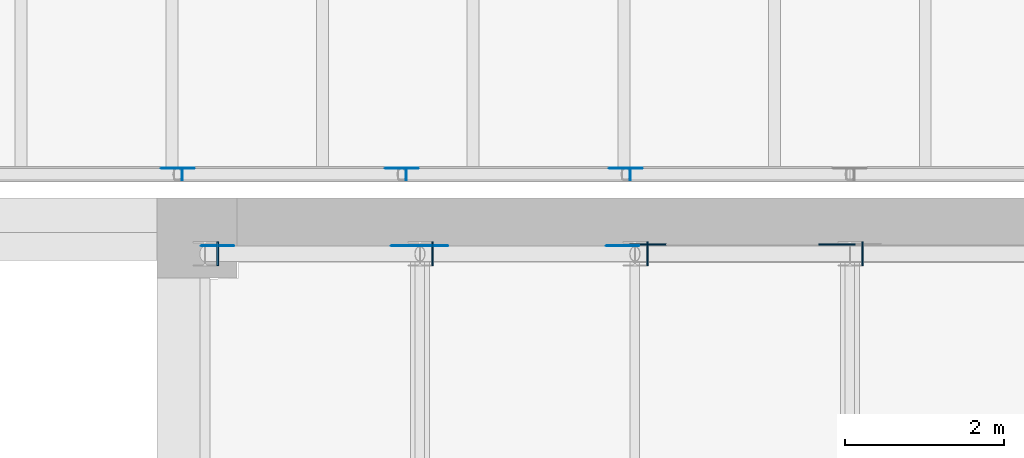
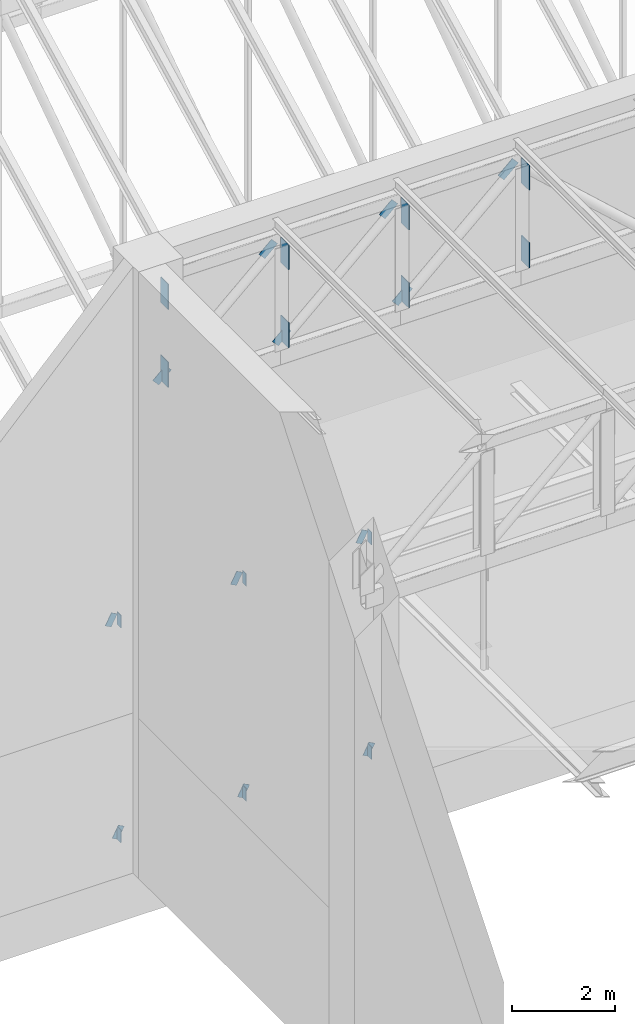
# One storey, part 43 of 68: 26 discrete accessories.
"""IFC4 building model written with IfcOpenShell, lengths in metres."""

from ifc_helpers import new_model, si_unit, direction, frame, origin, origin_2d, place, context, subcontext, project, spatial, rectangle, extrude, material, material_profile, profile_set, type_object, element, save


model = new_model("IFC4")

# Units and contexts
model_context = context("Model", 3, precision=1e-05, world=origin(), true_north=direction((0.0, 1.0)))
body_context = subcontext(model_context, "Body", "Model", "MODEL_VIEW")
ifc_project = project(units=[si_unit("LENGTHUNIT", "METRE"), si_unit("AREAUNIT", "SQUARE_METRE"), si_unit("VOLUMEUNIT", "CUBIC_METRE"), si_unit("PLANEANGLEUNIT", "RADIAN"), si_unit("MASSUNIT", "GRAM", prefix="KILO")], contexts=[model_context])

# Site, building, storey
site_placement = place(None, origin())
site = spatial("IfcSite", under=ifc_project, at=site_placement, CompositionType="ELEMENT")
building_placement = place(site_placement, origin())
building = spatial("IfcBuilding", under=site, at=building_placement, Name="Larchfold Concert Hall", CompositionType="ELEMENT")
storey_placement = place(building_placement, frame((0.0, 0.0, 28.800048828125)))
storey = spatial("IfcBuildingStorey", under=building, at=storey_placement, Name="L06", CompositionType="ELEMENT", Elevation=28.800048828125)

# Discrete accessories
ifc_material_1 = material(Name="Steel S355 galvanised bracket", Category="steel")
ifc_material_profile_1 = material_profile(ifc_material_1, rectangle(XDim=0.011962890625, YDim=0.14990234375, at=origin_2d()))
ifc_profile_set_1 = profile_set([ifc_material_profile_1], Name="Steel S355 galvanised bracket")
discrete_accessory_type_1 = type_object("IfcDiscreteAccessoryType", Name="Gusset plate 12x150", PredefinedType="BRACKET", material=ifc_profile_set_1)
for number, where, z_axis, x_axis, name in (
    (1, (34.212646484375, 60.0, 5.39990234375), (0.0, 0.0, -1.0), (1.0, 0.0, 0.0), "Gusset plate GP0129"),
    (2, (34.212646484375, 60.0, 0.300048828125), (0.0, 0.0, -1.0), (1.0, 0.0, 0.0), "Gusset plate GP0130"),
    (3, (37.027099609375, 60.0, 5.39990234375), (0.0, 0.0, -1.0), (1.0, 0.0, 0.0), "Gusset plate GP0131"),
    (4, (37.027099609375, 60.0, 0.300048828125), (0.0, 0.0, -1.0), (1.0, 0.0, 0.0), "Gusset plate GP0132"),
    (5, (39.841552734375, 60.0, 5.39990234375), (0.0, 0.0, -1.0), (1.0, 0.0, 0.0), "Gusset plate GP0133"),
    (6, (39.841552734375, 60.0, 0.300048828125), (0.0, 0.0, -1.0), (1.0, 0.0, 0.0), "Gusset plate GP0134"),
):
    element("IfcDiscreteAccessory", number, at=place(storey_placement, frame(where, z_axis=z_axis, x_axis=x_axis)), inside=storey, type_object=discrete_accessory_type_1, Name=name, PredefinedType="BRACKET", context=body_context, shape_type="SweptSolid", body=[
        extrude(rectangle(XDim=0.011962890625, YDim=0.14990234375, at=origin_2d()), origin(), (0.0, 0.0, 1.0), 0.300048828125),
    ])
for number, where, z_axis, x_axis, name in (
    (7, (34.0087890625, 60.075927734375, 5.1162109375), (0.462454703444, 0.0, 0.886642908539), (0.0, 1.0, 0.0), "Gusset plate GP0154"),
    (8, (34.166015625, 60.075927734375, 0.017822265625), (0.462454703444, 0.0, 0.886642908539), (0.0, 1.0, 0.0), "Gusset plate GP0155"),
    (9, (36.8232421875, 60.075927734375, 5.1162109375), (0.462454703444, 0.0, 0.886642908539), (0.0, 1.0, 0.0), "Gusset plate GP0156"),
    (10, (36.98046875, 60.075927734375, 0.017822265625), (0.462454703444, 0.0, 0.886642908539), (0.0, 1.0, 0.0), "Gusset plate GP0157"),
    (11, (39.6376953125, 60.075927734375, 5.1162109375), (0.462454703444, 0.0, 0.886642908539), (0.0, 1.0, 0.0), "Gusset plate GP0158"),
    (12, (39.794921875, 60.075927734375, 0.017822265625), (0.462454703444, 0.0, 0.886642908539), (0.0, 1.0, 0.0), "Gusset plate GP0159"),
):
    element("IfcDiscreteAccessory", number, at=place(storey_placement, frame(where, z_axis=z_axis, x_axis=x_axis)), inside=storey, type_object=discrete_accessory_type_1, Name=name, PredefinedType="BRACKET", context=body_context, shape_type="SweptSolid", body=[
        extrude(rectangle(XDim=0.011962890625, YDim=0.14990234375, at=origin_2d()), origin(), (0.0, 0.0, 1.0), 0.2998046875),
    ])
ifc_material_2 = material(Name="Steel S355 galvanised bracket", Category="steel")
ifc_material_profile_2 = material_profile(ifc_material_2, rectangle(XDim=0.011962890625, YDim=0.199951171875, at=origin_2d()))
ifc_profile_set_2 = profile_set([ifc_material_profile_2], Name="Steel S355 galvanised bracket")
discrete_accessory_type_2 = type_object("IfcDiscreteAccessoryType", Name="Gusset plate 12x200", PredefinedType="BRACKET", material=ifc_profile_set_2)
for number, where, z_axis, x_axis, name in (
    (13, (34.514892578125, 59.102783203125, 11.3134765625), (0.740624199034, 0.0, 0.671919486103), (0.0, 1.0, 0.0), "Gusset plate GP0751"),
    (14, (36.898193359375, 59.102783203125, 13.476318359375), (0.740624199034, 0.0, 0.671919486103), (0.0, 1.0, 0.0), "Gusset plate GP0752"),
    (15, (37.199951171875, 59.102783203125, 11.300048828125), (0.740624199034, 0.0, 0.671919486103), (0.0, 1.0, 0.0), "Gusset plate GP0753"),
    (16, (39.59814453125, 59.102783203125, 13.476318359375), (0.740624199034, 0.0, 0.671919486103), (0.0, 1.0, 0.0), "Gusset plate GP0754"),
):
    element("IfcDiscreteAccessory", number, at=place(storey_placement, frame(where, z_axis=z_axis, x_axis=x_axis)), inside=storey, type_object=discrete_accessory_type_2, Name=name, PredefinedType="BRACKET", context=body_context, shape_type="SweptSolid", body=[
        extrude(rectangle(XDim=0.011962890625, YDim=0.199951171875, at=origin_2d()), origin(), (0.0, 0.0, 1.0), 0.38720703125),
    ])
ifc_material_3 = material(Name="Steel S355 galvanised bracket", Category="steel")
ifc_material_profile_3 = material_profile(ifc_material_3, rectangle(XDim=0.01611328125, YDim=0.199951171875, at=origin_2d()))
ifc_profile_set_3 = profile_set([ifc_material_profile_3], Name="Steel S355 galvanised bracket")
discrete_accessory_type_3 = type_object("IfcDiscreteAccessoryType", Name="Gusset plate 16x200", PredefinedType="BRACKET", material=ifc_profile_set_3)
for number, where, z_axis, x_axis, name in (
    (17, (39.89990234375, 59.117431640625, 11.300048828125), (0.740544899397, 0.0, 0.672006883877), (0.0, 1.0, 0.0), "Gusset plate GP0755"),
    (18, (42.275634765625, 59.117431640625, 13.45556640625), (0.740544899397, 0.0, 0.672006883877), (0.0, 1.0, 0.0), "Gusset plate GP0756"),
):
    element("IfcDiscreteAccessory", number, at=place(storey_placement, frame(where, z_axis=z_axis, x_axis=x_axis)), inside=storey, type_object=discrete_accessory_type_3, Name=name, PredefinedType="BRACKET", context=body_context, shape_type="SweptSolid", body=[
        extrude(rectangle(XDim=0.01611328125, YDim=0.199951171875, at=origin_2d()), origin(), (0.0, 0.0, 1.0), 0.438232421875),
    ])
ifc_material_4 = material(Name="Steel S355 galvanised bracket", Category="steel")
ifc_material_profile_4 = material_profile(ifc_material_4, rectangle(XDim=0.02001953125, YDim=0.300048828125, at=origin_2d()))
ifc_profile_set_4 = profile_set([ifc_material_profile_4], Name="Steel S355 galvanised bracket")
discrete_accessory_type_4 = type_object("IfcDiscreteAccessoryType", Name="Gusset plate 20x300", PredefinedType="BRACKET", material=ifc_profile_set_4)
for number, where, z_axis, x_axis, name in (
    (19, (34.659912109375, 59.0, 11.300048828125), (0.0, 0.0, 1.0), (1.0, 0.0, 0.0), "Gusset plate GP0737"),
    (20, (34.659912109375, 59.0, 13.14990234375), (0.0, 0.0, 1.0), (1.0, 0.0, 0.0), "Gusset plate GP0738"),
    (21, (37.35986328125, 59.0, 11.300048828125), (0.0, 0.0, 1.0), (1.0, 0.0, 0.0), "Gusset plate GP0739"),
    (22, (37.35986328125, 59.0, 13.14990234375), (0.0, 0.0, 1.0), (1.0, 0.0, 0.0), "Gusset plate GP0740"),
    (23, (40.059814453125, 59.0, 11.300048828125), (0.0, 0.0, 1.0), (1.0, 0.0, 0.0), "Gusset plate GP0741"),
    (24, (40.059814453125, 59.0, 13.14990234375), (0.0, 0.0, 1.0), (1.0, 0.0, 0.0), "Gusset plate GP0742"),
    (25, (42.760009765625, 59.0, 11.300048828125), (0.0, 0.0, 1.0), (1.0, 0.0, 0.0), "Gusset plate GP0743"),
    (26, (42.760009765625, 59.0, 13.14990234375), (0.0, 0.0, 1.0), (1.0, 0.0, 0.0), "Gusset plate GP0744"),
):
    element("IfcDiscreteAccessory", number, at=place(storey_placement, frame(where, z_axis=z_axis, x_axis=x_axis)), inside=storey, type_object=discrete_accessory_type_4, Name=name, PredefinedType="BRACKET", context=body_context, shape_type="SweptSolid", body=[
        extrude(rectangle(XDim=0.02001953125, YDim=0.300048828125, at=origin_2d()), origin(), (0.0, 0.0, 1.0), 0.60009765625),
    ])

save(model, "model.ifc")
